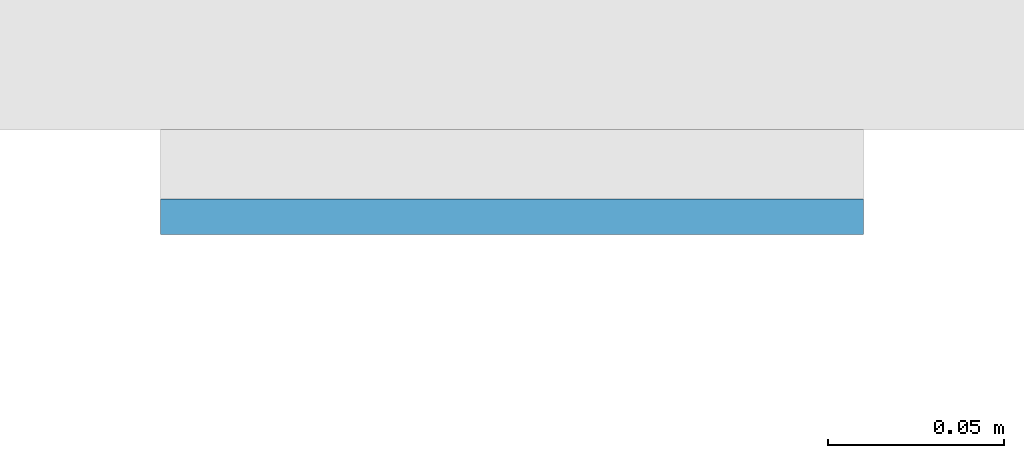
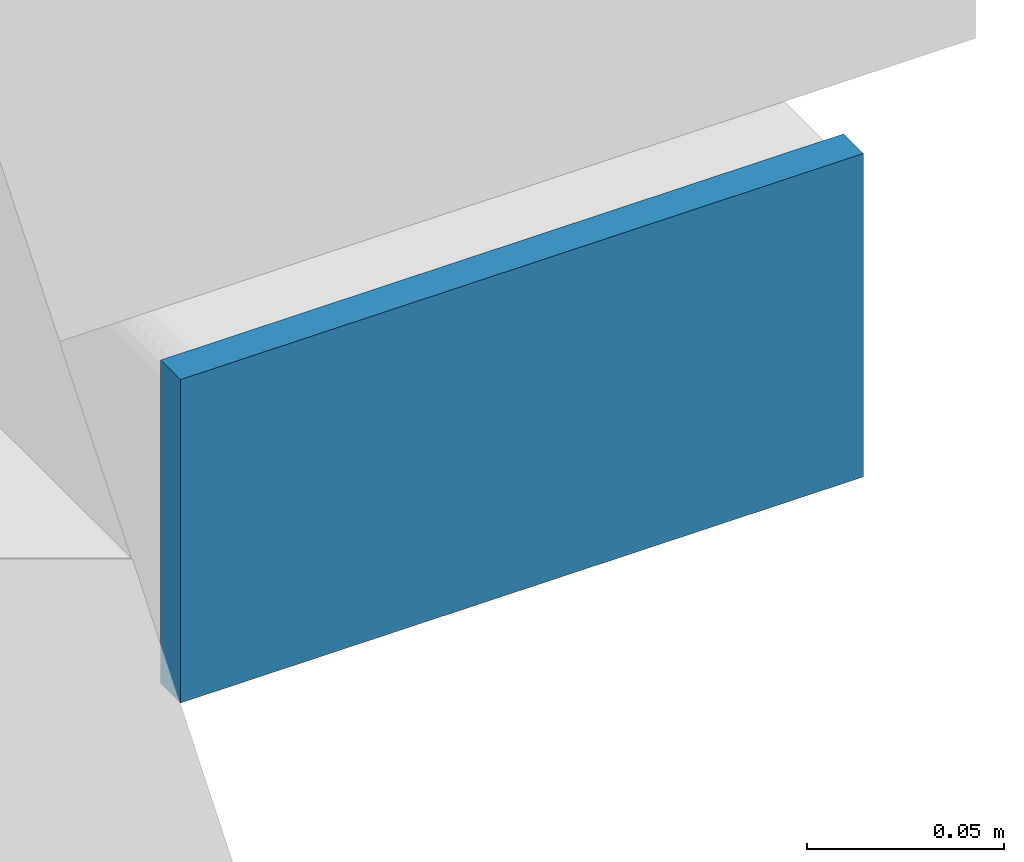
# One storey, part 8 of 16: 1 plate.
"""IFC4 building model written with IfcOpenShell, lengths in metres."""

from ifc_helpers import new_model, si_unit, direction, frame, origin, origin_2d, place, context, subcontext, project, spatial, rectangle, extrude, material, layer, layer_set, type_object, element, save


model = new_model("IFC4")

# Units and contexts
model_context = context("Model", 3, precision=1e-05, world=origin(), true_north=direction((0.0, 1.0)))
body_context = subcontext(model_context, "Body", "Model", "MODEL_VIEW")
ifc_project = project(units=[si_unit("LENGTHUNIT", "METRE"), si_unit("AREAUNIT", "SQUARE_METRE"), si_unit("VOLUMEUNIT", "CUBIC_METRE"), si_unit("PLANEANGLEUNIT", "RADIAN"), si_unit("MASSUNIT", "GRAM", prefix="KILO")], contexts=[model_context])

# Site, building, storey
site_placement = place(None, origin())
site = spatial("IfcSite", under=ifc_project, at=site_placement, CompositionType="ELEMENT")
building_placement = place(site_placement, origin())
building = spatial("IfcBuilding", under=site, at=building_placement, Name="Cleftline Residences", CompositionType="ELEMENT")
storey_placement = place(building_placement, frame((0.0, 0.0, 218.199951171875)))
storey = spatial("IfcBuildingStorey", under=building, at=storey_placement, Name="L57", CompositionType="ELEMENT", Elevation=218.199951171875)

# Plate
ifc_material = material(Name="Steel S355, hot-dip galvanised", Category="steel")
ifc_layer = layer(ifc_material, 0.010009765625)
ifc_layer_set = layer_set([ifc_layer], Name="BAGUETTE CARRIER END PLATE 200X100X10")
plate_type = type_object("IfcPlateType", Name="BAGUETTE CARRIER END PLATE 200X100X10", PredefinedType="USERDEFINED", material=ifc_layer_set)
plate_placement = place(storey_placement, frame((66.85009765625, 3.695068359375, -0.10009765625), z_axis=(0.0, 0.0, 1.0), x_axis=(1.0, 0.0, 0.0)))
element("IfcPlate", 1, at=plate_placement, inside=storey, type_object=plate_type, Name="Baguette carrier end plate", ObjectType="BAGUETTE CARRIER END PLATE", PredefinedType="USERDEFINED", context=body_context, shape_type="SweptSolid", body=[
    extrude(rectangle(XDim=0.199951171875, YDim=0.010009765625, at=origin_2d()), origin(), (0.0, 0.0, 1.0), 0.10009765625),
])

save(model, "model.ifc")
